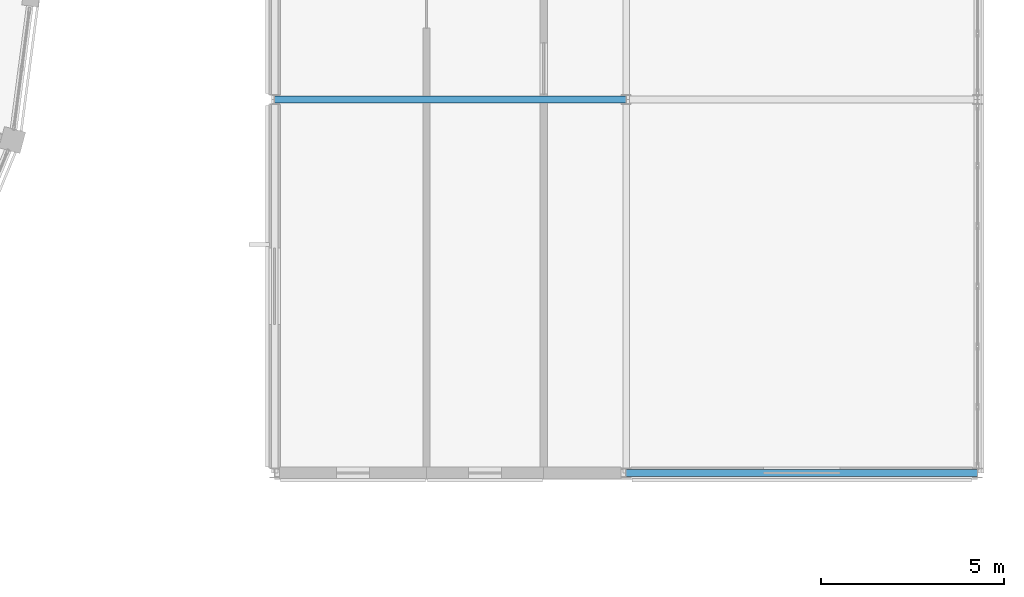
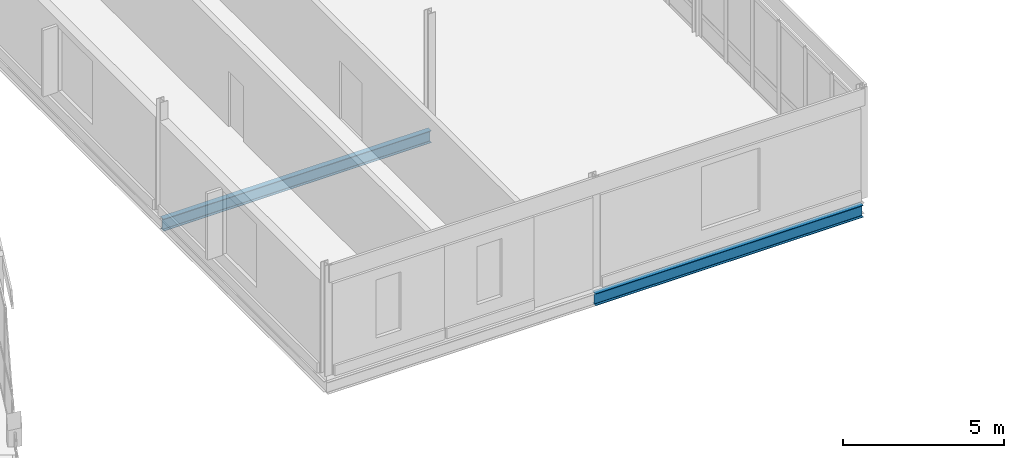
# One storey, part 102 of 170: 2 beams.
"""IFC4 building model written with IfcOpenShell, lengths in metres."""

from ifc_helpers import new_model, si_unit, direction, frame, origin, origin_2d, place, context, subcontext, project, spatial, i_section, extrude, material, material_profile, profile_set, type_object, element, save


model = new_model("IFC4")

# Units and contexts
model_context = context("Model", 3, precision=1e-05, world=origin(), true_north=direction((0.0, 1.0)))
body_context = subcontext(model_context, "Body", "Model", "MODEL_VIEW")
ifc_project = project(units=[si_unit("LENGTHUNIT", "METRE"), si_unit("AREAUNIT", "SQUARE_METRE"), si_unit("VOLUMEUNIT", "CUBIC_METRE"), si_unit("PLANEANGLEUNIT", "RADIAN"), si_unit("MASSUNIT", "GRAM", prefix="KILO")], contexts=[model_context])

# Site, building, storey
site_placement = place(None, origin())
site = spatial("IfcSite", under=ifc_project, at=site_placement, CompositionType="ELEMENT")
building_placement = place(site_placement, origin())
building = spatial("IfcBuilding", under=site, at=building_placement, Name="Vondelvale Polytechnic", CompositionType="ELEMENT")
storey_placement = place(building_placement, frame((0.0, 0.0, 5.39990234375)))
storey = spatial("IfcBuildingStorey", under=building, at=storey_placement, Name="L01", CompositionType="ELEMENT", Elevation=5.39990234375)

# Beams
ifc_material = material(Name="Steel 300PLUS (fy = 300 MPa)", Category="steel")
ifc_material_profile = material_profile(ifc_material, i_section(OverallWidth=0.19091796875, OverallDepth=0.4599609375, WebThickness=0.010009765625, FlangeThickness=0.01611328125, FilletRadius=0.011474609375, at=origin_2d()), Name="460UB82.1")
ifc_profile_set = profile_set([ifc_material_profile], Name="Steel 300PLUS (fy = 300 MPa)")
beam_type = type_object("IfcBeamType", Name="BM-UB460H", PredefinedType="BEAM", material=ifc_profile_set)
beam_1_placement = place(storey_placement, frame((163.199951171875, 51.0, -0.510009765625), z_axis=(1.0, 0.0, 0.0), x_axis=(0.0, 1.0, 0.0)))
element("IfcBeam", 1, at=beam_1_placement, inside=storey, type_object=beam_type, Name="L01 B B-12", PredefinedType="BEAM", context=body_context, shape_type="SweptSolid", body=[
    extrude(i_section(OverallWidth=0.19091796875, OverallDepth=0.4599609375, WebThickness=0.010009765625, FlangeThickness=0.01611328125, FilletRadius=0.011474609375, at=origin_2d()), origin(), (0.0, 0.0, 1.0), 9.60009765625),
])
beam_2_placement = place(storey_placement, frame((153.60009765625, 61.199951171875, -0.510009765625), z_axis=(1.0, 0.0, 0.0), x_axis=(0.0, 1.0, 0.0)))
element("IfcBeam", 2, at=beam_2_placement, inside=storey, type_object=beam_type, Name="L01 B B-12", PredefinedType="BEAM", context=body_context, shape_type="SweptSolid", body=[
    extrude(i_section(OverallWidth=0.19091796875, OverallDepth=0.4599609375, WebThickness=0.010009765625, FlangeThickness=0.01611328125, FilletRadius=0.011474609375, at=origin_2d()), origin(), (0.0, 0.0, 1.0), 9.599853515625),
])

save(model, "model.ifc")
